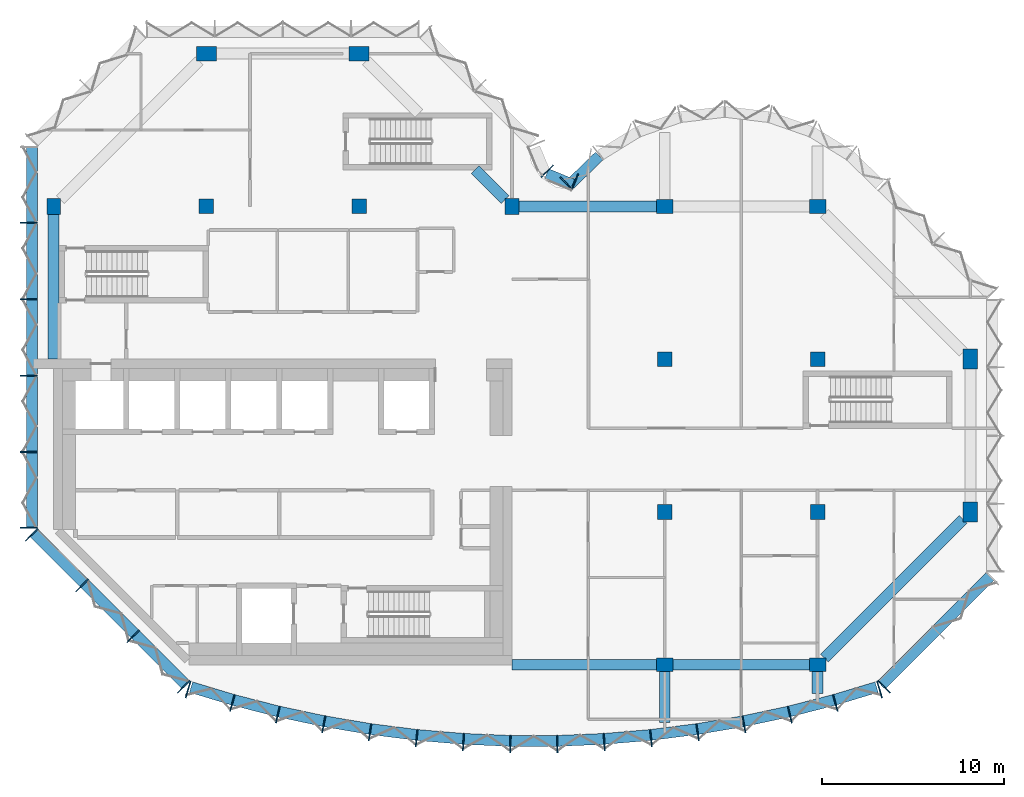
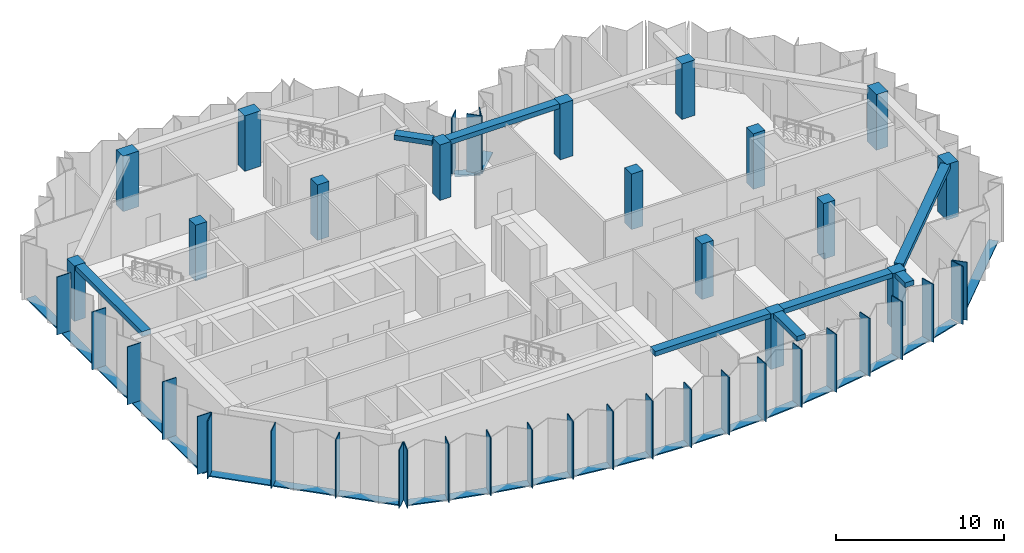
# One storey, part 1 of 10: 49 members, 16 columns, 8 beams, 6 elements without a shape of their own.
"""IFC4 building model written with IfcOpenShell, lengths in metres."""

from ifc_helpers import new_model, si_unit, direction, frame, origin, origin_2d, place, context, subcontext, project, spatial, rectangle, extrude, material, material_profile, profile_set, type_object, element, aggregate, save


model = new_model("IFC4")

# Units and contexts
model_context = context("Model", 3, precision=1e-05, world=origin(), true_north=direction((0.0, 1.0)))
body_context = subcontext(model_context, "Body", "Model", "MODEL_VIEW")
ifc_project = project(units=[si_unit("LENGTHUNIT", "METRE"), si_unit("AREAUNIT", "SQUARE_METRE"), si_unit("VOLUMEUNIT", "CUBIC_METRE"), si_unit("PLANEANGLEUNIT", "RADIAN"), si_unit("MASSUNIT", "GRAM", prefix="KILO")], contexts=[model_context])

# Site, building, storey
site_placement = place(None, origin())
site = spatial("IfcSite", under=ifc_project, at=site_placement, CompositionType="ELEMENT")
building_placement = place(site_placement, origin())
building = spatial("IfcBuilding", under=site, at=building_placement, Name="Brevane Broadcast Tower", CompositionType="ELEMENT")
storey_placement = place(building_placement, frame((0.0, 0.0, 251.699951171875)))
storey = spatial("IfcBuildingStorey", under=building, at=storey_placement, Name="L64", CompositionType="ELEMENT", Elevation=251.699951171875)

# Columns
ifc_material_1 = material(Name="Concrete C50/60", Category="concrete")
ifc_material_profile_1 = material_profile(ifc_material_1, rectangle(XDim=0.75, YDim=0.89990234375, at=origin_2d()), Name="RC 750x900")
ifc_profile_set_1 = profile_set([ifc_material_profile_1], Name="Concrete C50/60")
column_type_1 = type_object("IfcColumnType", Name="RC COLUMN EDGE 750x900 C50/60", PredefinedType="COLUMN", material=ifc_profile_set_1)
for number, where, z_axis, x_axis, name in (
    (1, (0.0, 25.199951171875, 0.0), (0.0, 0.0, 1.0), (1.0, 0.0, 0.0), "CE14 1/D"),
    (2, (25.199951171875, 25.199951171875, 0.0), (0.0, 0.0, 1.0), (1.0, 0.0, 0.0), "CE14 4/D"),
    (3, (33.60009765625, 0.0, 0.0), (0.0, 0.0, 1.0), (0.0, 1.0, 0.0), "CE14 5/A"),
    (4, (33.60009765625, 25.199951171875, 0.0), (0.0, 0.0, 1.0), (0.0, 1.0, 0.0), "CE14 5/D"),
    (5, (42.0, 0.0, 0.0), (0.0, 0.0, 1.0), (0.0, 1.0, 0.0), "CE14 6/A"),
    (6, (42.0, 25.199951171875, 0.0), (0.0, 0.0, 1.0), (0.0, 1.0, 0.0), "CE14 6/D"),
):
    element("IfcColumn", number, at=place(storey_placement, frame(where, z_axis=z_axis, x_axis=x_axis)), inside=storey, type_object=column_type_1, Name=name, PredefinedType="COLUMN", context=body_context, shape_type="SweptSolid", body=[
        extrude(rectangle(XDim=0.75, YDim=0.89990234375, at=origin_2d()), origin(), (0.0, 0.0, 1.0), 4.050048828125),
    ])
ifc_material_profile_2 = material_profile(ifc_material_1, rectangle(XDim=0.800048828125, YDim=0.800048828125, at=origin_2d()), Name="RC 800x800")
ifc_profile_set_2 = profile_set([ifc_material_profile_2], Name="Concrete C50/60")
column_type_2 = type_object("IfcColumnType", Name="RC COLUMN INTERIOR 800x800 C50/60", PredefinedType="COLUMN", material=ifc_profile_set_2)
for number, where, z_axis, x_axis, name in (
    (7, (8.39990234375, 25.199951171875, 0.0), (0.0, 0.0, 1.0), (1.0, 0.0, 0.0), "CI15 2/D"),
    (8, (16.800048828125, 25.199951171875, 0.0), (0.0, 0.0, 1.0), (1.0, 0.0, 0.0), "CI15 3/D"),
    (9, (33.60009765625, 8.39990234375, 0.0), (0.0, 0.0, 1.0), (1.0, 0.0, 0.0), "CI15 5/B"),
    (10, (33.60009765625, 16.800048828125, 0.0), (0.0, 0.0, 1.0), (1.0, 0.0, 0.0), "CI15 5/C"),
    (11, (42.0, 8.39990234375, 0.0), (0.0, 0.0, 1.0), (1.0, 0.0, 0.0), "CI15 6/B"),
    (12, (42.0, 16.800048828125, 0.0), (0.0, 0.0, 1.0), (1.0, 0.0, 0.0), "CI15 6/C"),
):
    element("IfcColumn", number, at=place(storey_placement, frame(where, z_axis=z_axis, x_axis=x_axis)), inside=storey, type_object=column_type_2, Name=name, PredefinedType="COLUMN", context=body_context, shape_type="SweptSolid", body=[
        extrude(rectangle(XDim=0.800048828125, YDim=0.800048828125, at=origin_2d()), origin(), (0.0, 0.0, 1.0), 4.050048828125),
    ])
ifc_material_profile_3 = material_profile(ifc_material_1, rectangle(XDim=0.800048828125, YDim=1.10009765625, at=origin_2d()), Name="RC 800x1100")
ifc_profile_set_3 = profile_set([ifc_material_profile_3], Name="Concrete C50/60")
column_type_3 = type_object("IfcColumnType", Name="RC COLUMN WING-END 800x1100 C50/60", PredefinedType="COLUMN", material=ifc_profile_set_3)
for number, where, z_axis, x_axis, name in (
    (13, (8.39990234375, 33.60009765625, 0.0), (0.0, 0.0, 1.0), (0.0, 1.0, 0.0), "CW16 2/E"),
    (14, (16.800048828125, 33.60009765625, 0.0), (0.0, 0.0, 1.0), (0.0, 1.0, 0.0), "CW16 3/E"),
    (15, (50.39990234375, 8.39990234375, 0.0), (0.0, 0.0, 1.0), (1.0, 0.0, 0.0), "CW16 7/B"),
    (16, (50.39990234375, 16.800048828125, 0.0), (0.0, 0.0, 1.0), (1.0, 0.0, 0.0), "CW16 7/C"),
):
    element("IfcColumn", number, at=place(storey_placement, frame(where, z_axis=z_axis, x_axis=x_axis)), inside=storey, type_object=column_type_3, Name=name, PredefinedType="COLUMN", context=body_context, shape_type="SweptSolid", body=[
        extrude(rectangle(XDim=0.800048828125, YDim=1.10009765625, at=origin_2d()), origin(), (0.0, 0.0, 1.0), 4.050048828125),
    ])

# Curtain wall, members
ifc_material_2 = material(Name="Aluminium 6063-T6 bronze anodised", Category="aluminium")
curtain_wall_type = type_object("IfcCurtainWallType", Name="CW-5 curtain wall", PredefinedType="NOTDEFINED", material=ifc_material_2)
curtain_wall_1_placement = place(storey_placement, origin())
curtain_wall_1 = element("IfcCurtainWall", 17, at=curtain_wall_1_placement, inside=storey, type_object=curtain_wall_type, Name="CW-5 crown glazing unit L64 south bow", PredefinedType="NOTDEFINED")
ifc_material_profile_4 = material_profile(ifc_material_2, rectangle(XDim=0.949951171875, YDim=0.06005859375, at=origin_2d()), Name="RECT 60x950")
ifc_profile_set_4 = profile_set([ifc_material_profile_4], Name="Aluminium 6063-T6 bronze anodised")
member_type_1 = type_object("IfcMemberType", Name="CW-5 mullion 60x950", PredefinedType="MULLION", material=ifc_profile_set_4)
member_1_placement = place(storey_placement, frame((7.391357421875, -1.363525390625, -0.169921875), z_axis=(0.0, 0.0, 1.0), x_axis=(0.288968122518, 0.957338719664, 0.0)))
member_1 = element("IfcMember", 18, at=member_1_placement, type_object=member_type_1, Name="CW-5 mullion", PredefinedType="MULLION", context=body_context, shape_type="SweptSolid", body=[
    extrude(rectangle(XDim=0.949951171875, YDim=0.06005859375, at=origin_2d()), origin(), (0.0, 0.0, 1.0), 4.219970703125),
])
member_2_placement = place(storey_placement, frame((9.824951171875, -2.097900390625, -0.169921875), z_axis=(0.0, 0.0, 1.0), x_axis=(0.268915519935, 0.963163767559, 0.0)))
member_2 = element("IfcMember", 19, at=member_2_placement, type_object=member_type_1, Name="CW-5 mullion", PredefinedType="MULLION", context=body_context, shape_type="SweptSolid", body=[
    extrude(rectangle(XDim=0.949951171875, YDim=0.06005859375, at=origin_2d()), origin(), (0.0, 0.0, 1.0), 4.219970703125),
])
member_3_placement = place(storey_placement, frame((12.325439453125, -2.739990234375, -0.169921875), z_axis=(0.0, 0.0, 1.0), x_axis=(0.228467410001, 0.97355156133, 0.0)))
member_3 = element("IfcMember", 20, at=member_3_placement, type_object=member_type_1, Name="CW-5 mullion", PredefinedType="MULLION", context=body_context, shape_type="SweptSolid", body=[
    extrude(rectangle(XDim=0.949951171875, YDim=0.06005859375, at=origin_2d()), origin(), (0.0, 0.0, 1.0), 4.219970703125),
])
member_4_placement = place(storey_placement, frame((14.8505859375, -3.277099609375, -0.169921875), z_axis=(0.0, 0.0, 1.0), x_axis=(0.187620976959, 0.982241502384, 0.0)))
member_4 = element("IfcMember", 21, at=member_4_placement, type_object=member_type_1, Name="CW-5 mullion", PredefinedType="MULLION", context=body_context, shape_type="SweptSolid", body=[
    extrude(rectangle(XDim=0.949951171875, YDim=0.06005859375, at=origin_2d()), origin(), (0.0, 0.0, 1.0), 4.219970703125),
])
member_5_placement = place(storey_placement, frame((17.395751953125, -3.70849609375, -0.169921875), z_axis=(0.0, 0.0, 1.0), x_axis=(0.146447392256, 0.989218459847, 0.0)))
member_5 = element("IfcMember", 22, at=member_5_placement, type_object=member_type_1, Name="CW-5 mullion", PredefinedType="MULLION", context=body_context, shape_type="SweptSolid", body=[
    extrude(rectangle(XDim=0.949951171875, YDim=0.06005859375, at=origin_2d()), origin(), (0.0, 0.0, 1.0), 4.219970703125),
])
member_6_placement = place(storey_placement, frame((19.95703125, -4.033203125, -0.169921875), z_axis=(0.0, 0.0, 1.0), x_axis=(0.105018395305, 0.994470279419, 0.0)))
member_6 = element("IfcMember", 23, at=member_6_placement, type_object=member_type_1, Name="CW-5 mullion", PredefinedType="MULLION", context=body_context, shape_type="SweptSolid", body=[
    extrude(rectangle(XDim=0.949951171875, YDim=0.06005859375, at=origin_2d()), origin(), (0.0, 0.0, 1.0), 4.219970703125),
])
member_7_placement = place(storey_placement, frame((22.529296875, -4.250732421875, -0.169921875), z_axis=(0.0, 0.0, 1.0), x_axis=(0.063406169479, 0.99798780437, 0.0)))
member_7 = element("IfcMember", 24, at=member_7_placement, type_object=member_type_1, Name="CW-5 mullion", PredefinedType="MULLION", context=body_context, shape_type="SweptSolid", body=[
    extrude(rectangle(XDim=0.949951171875, YDim=0.06005859375, at=origin_2d()), origin(), (0.0, 0.0, 1.0), 4.219970703125),
])
member_8_placement = place(storey_placement, frame((25.10888671875, -4.360595703125, -0.169921875), z_axis=(0.0, 0.0, 1.0), x_axis=(0.021281828243, 0.999773516246, 0.0)))
member_8 = element("IfcMember", 25, at=member_8_placement, type_object=member_type_1, Name="CW-5 mullion", PredefinedType="MULLION", context=body_context, shape_type="SweptSolid", body=[
    extrude(rectangle(XDim=0.949951171875, YDim=0.06005859375, at=origin_2d()), origin(), (0.0, 0.0, 1.0), 4.219970703125),
])
member_9_placement = place(storey_placement, frame((27.691162109375, -4.360595703125, -0.169921875), z_axis=(0.0, 0.0, 1.0), x_axis=(-0.021281828243, 0.999773516246, 0.0)))
member_9 = element("IfcMember", 26, at=member_9_placement, type_object=member_type_1, Name="CW-5 mullion", PredefinedType="MULLION", context=body_context, shape_type="SweptSolid", body=[
    extrude(rectangle(XDim=0.949951171875, YDim=0.06005859375, at=origin_2d()), origin(), (0.0, 0.0, 1.0), 4.219970703125),
])
member_10_placement = place(storey_placement, frame((30.2705078125, -4.250732421875, -0.169921875), z_axis=(0.0, 0.0, 1.0), x_axis=(-0.063406169479, 0.99798780437, 0.0)))
member_10 = element("IfcMember", 27, at=member_10_placement, type_object=member_type_1, Name="CW-5 mullion", PredefinedType="MULLION", context=body_context, shape_type="SweptSolid", body=[
    extrude(rectangle(XDim=0.949951171875, YDim=0.06005859375, at=origin_2d()), origin(), (0.0, 0.0, 1.0), 4.219970703125),
])
member_11_placement = place(storey_placement, frame((32.843017578125, -4.033203125, -0.169921875), z_axis=(0.0, 0.0, 1.0), x_axis=(-0.105018395305, 0.994470279419, 0.0)))
member_11 = element("IfcMember", 28, at=member_11_placement, type_object=member_type_1, Name="CW-5 mullion", PredefinedType="MULLION", context=body_context, shape_type="SweptSolid", body=[
    extrude(rectangle(XDim=0.949951171875, YDim=0.06005859375, at=origin_2d()), origin(), (0.0, 0.0, 1.0), 4.219970703125),
])
member_12_placement = place(storey_placement, frame((35.404296875, -3.70849609375, -0.169921875), z_axis=(0.0, 0.0, 1.0), x_axis=(-0.146447392256, 0.989218459847, 0.0)))
member_12 = element("IfcMember", 29, at=member_12_placement, type_object=member_type_1, Name="CW-5 mullion", PredefinedType="MULLION", context=body_context, shape_type="SweptSolid", body=[
    extrude(rectangle(XDim=0.949951171875, YDim=0.06005859375, at=origin_2d()), origin(), (0.0, 0.0, 1.0), 4.219970703125),
])
member_13_placement = place(storey_placement, frame((37.949462890625, -3.277099609375, -0.169921875), z_axis=(0.0, 0.0, 1.0), x_axis=(-0.187620976959, 0.982241502384, 0.0)))
member_13 = element("IfcMember", 30, at=member_13_placement, type_object=member_type_1, Name="CW-5 mullion", PredefinedType="MULLION", context=body_context, shape_type="SweptSolid", body=[
    extrude(rectangle(XDim=0.949951171875, YDim=0.06005859375, at=origin_2d()), origin(), (0.0, 0.0, 1.0), 4.219970703125),
])
member_14_placement = place(storey_placement, frame((40.474609375, -2.739990234375, -0.169921875), z_axis=(0.0, 0.0, 1.0), x_axis=(-0.228467410001, 0.97355156133, 0.0)))
member_14 = element("IfcMember", 31, at=member_14_placement, type_object=member_type_1, Name="CW-5 mullion", PredefinedType="MULLION", context=body_context, shape_type="SweptSolid", body=[
    extrude(rectangle(XDim=0.949951171875, YDim=0.06005859375, at=origin_2d()), origin(), (0.0, 0.0, 1.0), 4.219970703125),
])
member_15_placement = place(storey_placement, frame((42.97509765625, -2.097900390625, -0.169921875), z_axis=(0.0, 0.0, 1.0), x_axis=(-0.268915519935, 0.963163767559, 0.0)))
member_15 = element("IfcMember", 32, at=member_15_placement, type_object=member_type_1, Name="CW-5 mullion", PredefinedType="MULLION", context=body_context, shape_type="SweptSolid", body=[
    extrude(rectangle(XDim=0.949951171875, YDim=0.06005859375, at=origin_2d()), origin(), (0.0, 0.0, 1.0), 4.219970703125),
])
member_16_placement = place(storey_placement, frame((45.408447265625, -1.363525390625, -0.169921875), z_axis=(0.0, 0.0, 1.0), x_axis=(-0.288968122518, 0.957338719664, 0.0)))
member_16 = element("IfcMember", 33, at=member_16_placement, type_object=member_type_1, Name="CW-5 mullion", PredefinedType="MULLION", context=body_context, shape_type="SweptSolid", body=[
    extrude(rectangle(XDim=0.949951171875, YDim=0.06005859375, at=origin_2d()), origin(), (0.0, 0.0, 1.0), 4.219970703125),
])

# Curtain wall, member
curtain_wall_2_placement = place(storey_placement, origin())
curtain_wall_2 = element("IfcCurtainWall", 34, at=curtain_wall_2_placement, inside=storey, type_object=curtain_wall_type, Name="CW-5 crown glazing unit L64 south-east chamfer", PredefinedType="NOTDEFINED")
member_17_placement = place(storey_placement, frame((45.656982421875, -1.214599609375, -0.169921875), z_axis=(0.0, 0.0, 1.0), x_axis=(-0.707106781187, 0.707106781187, 0.0)))
member_17 = element("IfcMember", 35, at=member_17_placement, type_object=member_type_1, Name="CW-5 mullion", PredefinedType="MULLION", context=body_context, shape_type="SweptSolid", body=[
    extrude(rectangle(XDim=0.949951171875, YDim=0.06005859375, at=origin_2d()), origin(), (0.0, 0.0, 1.0), 4.219970703125),
])

curtain_wall_3_placement = place(storey_placement, origin())
curtain_wall_3 = element("IfcCurtainWall", 36, at=curtain_wall_3_placement, inside=storey, type_object=curtain_wall_type, Name="CW-5 crown glazing unit L64 east bow", PredefinedType="NOTDEFINED")
member_18_placement = place(storey_placement, frame((28.1904296875, 26.461669921875, -0.169921875), z_axis=(0.0, 0.0, 1.0), x_axis=(0.696812089895, -0.717253728729, 0.0)))
member_18 = element("IfcMember", 37, at=member_18_placement, type_object=member_type_1, Name="CW-5 mullion", PredefinedType="MULLION", context=body_context, shape_type="SweptSolid", body=[
    extrude(rectangle(XDim=0.949951171875, YDim=0.06005859375, at=origin_2d()), origin(), (0.0, 0.0, 1.0), 4.219970703125),
])

# Curtain wall, members
curtain_wall_4_placement = place(storey_placement, origin())
curtain_wall_4 = element("IfcCurtainWall", 38, at=curtain_wall_4_placement, inside=storey, type_object=curtain_wall_type, Name="CW-5 crown glazing unit L64 inner corner", PredefinedType="NOTDEFINED")
member_19_placement = place(storey_placement, frame((28.654052734375, 26.55029296875, -0.169921875), z_axis=(0.0, 0.0, 1.0), x_axis=(-0.382683432365, -0.923879532511, 0.0)))
member_19 = element("IfcMember", 39, at=member_19_placement, type_object=member_type_1, Name="CW-5 mullion", PredefinedType="MULLION", context=body_context, shape_type="SweptSolid", body=[
    extrude(rectangle(XDim=0.949951171875, YDim=0.06005859375, at=origin_2d()), origin(), (0.0, 0.0, 1.0), 4.219970703125),
])
member_20_placement = place(storey_placement, frame((27.138916015625, 27.138916015625, -0.169921875), z_axis=(0.0, 0.0, 1.0), x_axis=(-0.707106781187, -0.707106781187, 0.0)))
member_20 = element("IfcMember", 40, at=member_20_placement, type_object=member_type_1, Name="CW-5 mullion", PredefinedType="MULLION", context=body_context, shape_type="SweptSolid", body=[
    extrude(rectangle(XDim=0.949951171875, YDim=0.06005859375, at=origin_2d()), origin(), (0.0, 0.0, 1.0), 4.219970703125),
])

curtain_wall_5_placement = place(storey_placement, origin())
curtain_wall_5 = element("IfcCurtainWall", 41, at=curtain_wall_5_placement, inside=storey, type_object=curtain_wall_type, Name="CW-5 crown glazing unit L64 west face", PredefinedType="NOTDEFINED")
member_21_placement = place(storey_placement, frame((-1.375, 24.300048828125, -0.169921875), z_axis=(0.0, 0.0, 1.0), x_axis=(1.0, 0.0, 0.0)))
member_21 = element("IfcMember", 42, at=member_21_placement, type_object=member_type_1, Name="CW-5 mullion", PredefinedType="MULLION", context=body_context, shape_type="SweptSolid", body=[
    extrude(rectangle(XDim=0.949951171875, YDim=0.06005859375, at=origin_2d()), origin(), (0.0, 0.0, 1.0), 4.219970703125),
])
member_22_placement = place(storey_placement, frame((-1.375, 20.10009765625, -0.169921875), z_axis=(0.0, 0.0, 1.0), x_axis=(1.0, 0.0, 0.0)))
member_22 = element("IfcMember", 43, at=member_22_placement, type_object=member_type_1, Name="CW-5 mullion", PredefinedType="MULLION", context=body_context, shape_type="SweptSolid", body=[
    extrude(rectangle(XDim=0.949951171875, YDim=0.06005859375, at=origin_2d()), origin(), (0.0, 0.0, 1.0), 4.219970703125),
])
member_23_placement = place(storey_placement, frame((-1.375, 15.89990234375, -0.169921875), z_axis=(0.0, 0.0, 1.0), x_axis=(1.0, 0.0, 0.0)))
member_23 = element("IfcMember", 44, at=member_23_placement, type_object=member_type_1, Name="CW-5 mullion", PredefinedType="MULLION", context=body_context, shape_type="SweptSolid", body=[
    extrude(rectangle(XDim=0.949951171875, YDim=0.06005859375, at=origin_2d()), origin(), (0.0, 0.0, 1.0), 4.219970703125),
])
member_24_placement = place(storey_placement, frame((-1.375, 11.699951171875, -0.169921875), z_axis=(0.0, 0.0, 1.0), x_axis=(1.0, 0.0, 0.0)))
member_24 = element("IfcMember", 45, at=member_24_placement, type_object=member_type_1, Name="CW-5 mullion", PredefinedType="MULLION", context=body_context, shape_type="SweptSolid", body=[
    extrude(rectangle(XDim=0.949951171875, YDim=0.06005859375, at=origin_2d()), origin(), (0.0, 0.0, 1.0), 4.219970703125),
])
member_25_placement = place(storey_placement, frame((-1.375, 7.530029296875, -0.169921875), z_axis=(0.0, 0.0, 1.0), x_axis=(1.0, 0.0, 0.0)))
member_25 = element("IfcMember", 46, at=member_25_placement, type_object=member_type_1, Name="CW-5 mullion", PredefinedType="MULLION", context=body_context, shape_type="SweptSolid", body=[
    extrude(rectangle(XDim=0.949951171875, YDim=0.06005859375, at=origin_2d()), origin(), (0.0, 0.0, 1.0), 4.219970703125),
])

curtain_wall_6_placement = place(storey_placement, origin())
curtain_wall_6 = element("IfcCurtainWall", 47, at=curtain_wall_6_placement, inside=storey, type_object=curtain_wall_type, Name="CW-5 crown glazing unit L64 south-west chamfer", PredefinedType="NOTDEFINED")
member_26_placement = place(storey_placement, frame((-1.214599609375, 7.142822265625, -0.169921875), z_axis=(0.0, 0.0, 1.0), x_axis=(0.707106781187, 0.707106781187, 0.0)))
member_26 = element("IfcMember", 48, at=member_26_placement, type_object=member_type_1, Name="CW-5 mullion", PredefinedType="MULLION", context=body_context, shape_type="SweptSolid", body=[
    extrude(rectangle(XDim=0.949951171875, YDim=0.06005859375, at=origin_2d()), origin(), (0.0, 0.0, 1.0), 4.219970703125),
])
member_27_placement = place(storey_placement, frame((1.564208984375, 4.364013671875, -0.169921875), z_axis=(0.0, 0.0, 1.0), x_axis=(0.707106781187, 0.707106781187, 0.0)))
member_27 = element("IfcMember", 49, at=member_27_placement, type_object=member_type_1, Name="CW-5 mullion", PredefinedType="MULLION", context=body_context, shape_type="SweptSolid", body=[
    extrude(rectangle(XDim=0.949951171875, YDim=0.06005859375, at=origin_2d()), origin(), (0.0, 0.0, 1.0), 4.219970703125),
])
member_28_placement = place(storey_placement, frame((4.364013671875, 1.564208984375, -0.169921875), z_axis=(0.0, 0.0, 1.0), x_axis=(0.707106781187, 0.707106781187, 0.0)))
member_28 = element("IfcMember", 50, at=member_28_placement, type_object=member_type_1, Name="CW-5 mullion", PredefinedType="MULLION", context=body_context, shape_type="SweptSolid", body=[
    extrude(rectangle(XDim=0.949951171875, YDim=0.06005859375, at=origin_2d()), origin(), (0.0, 0.0, 1.0), 4.219970703125),
])
member_29_placement = place(storey_placement, frame((7.142822265625, -1.214599609375, -0.169921875), z_axis=(0.0, 0.0, 1.0), x_axis=(0.707106781187, 0.707106781187, 0.0)))
member_29 = element("IfcMember", 51, at=member_29_placement, type_object=member_type_1, Name="CW-5 mullion", PredefinedType="MULLION", context=body_context, shape_type="SweptSolid", body=[
    extrude(rectangle(XDim=0.949951171875, YDim=0.06005859375, at=origin_2d()), origin(), (0.0, 0.0, 1.0), 4.219970703125),
])

# Member
ifc_material_profile_5 = material_profile(ifc_material_2, rectangle(XDim=0.60009765625, YDim=0.080078125, at=origin_2d()), Name="RECT 80x600")
ifc_profile_set_5 = profile_set([ifc_material_profile_5], Name="Aluminium 6063-T6 bronze anodised")
member_type_2 = type_object("IfcMemberType", Name="CW-5 transom 80x600", PredefinedType="USERDEFINED", material=ifc_profile_set_5)
member_30_placement = place(storey_placement, frame((7.553955078125, -1.229736328125, -0.2099609375), z_axis=(0.957362578524, -0.288889067362, 0.0), x_axis=(0.288889067362, 0.957362578524, 0.0)))
member_30 = element("IfcMember", 52, at=member_30_placement, type_object=member_type_2, Name="CW-5 transom", ObjectType="TRANSOM", PredefinedType="USERDEFINED", context=body_context, shape_type="SweptSolid", body=[
    extrude(rectangle(XDim=0.60009765625, YDim=0.080078125, at=origin_2d()), origin(), (0.0, 0.0, 1.0), 2.411865234375),
])

member_31_placement = place(storey_placement, frame((9.8759765625, -1.930419921875, -0.2099609375), z_axis=(0.968569727699, -0.248742201052, 0.0), x_axis=(0.248742201052, 0.968569727699, 0.0)))
member_31 = element("IfcMember", 53, at=member_31_placement, type_object=member_type_2, Name="CW-5 transom", ObjectType="TRANSOM", PredefinedType="USERDEFINED", context=body_context, shape_type="SweptSolid", body=[
    extrude(rectangle(XDim=0.60009765625, YDim=0.080078125, at=origin_2d()), origin(), (0.0, 0.0, 1.0), 2.561767578125),
])

member_32_placement = place(storey_placement, frame((12.370361328125, -2.57080078125, -0.2099609375), z_axis=(0.978117897278, -0.208051385536, 0.0), x_axis=(0.208051385536, 0.978117897278, 0.0)))
member_32 = element("IfcMember", 54, at=member_32_placement, type_object=member_type_2, Name="CW-5 transom", ObjectType="TRANSOM", PredefinedType="USERDEFINED", context=body_context, shape_type="SweptSolid", body=[
    extrude(rectangle(XDim=0.60009765625, YDim=0.080078125, at=origin_2d()), origin(), (0.0, 0.0, 1.0), 2.561767578125),
])

member_33_placement = place(storey_placement, frame((14.88916015625, -3.1064453125, -0.2099609375), z_axis=(0.985947338221, -0.167056416383, 0.0), x_axis=(0.167056416383, 0.985947338221, 0.0)))
member_33 = element("IfcMember", 55, at=member_33_placement, type_object=member_type_2, Name="CW-5 transom", ObjectType="TRANSOM", PredefinedType="USERDEFINED", context=body_context, shape_type="SweptSolid", body=[
    extrude(rectangle(XDim=0.60009765625, YDim=0.080078125, at=origin_2d()), origin(), (0.0, 0.0, 1.0), 2.561767578125),
])

member_34_placement = place(storey_placement, frame((17.428466796875, -3.536376953125, -0.2099609375), z_axis=(0.99206678005, -0.12571198798, 0.0), x_axis=(0.12571198798, 0.99206678005, 0.0)))
member_34 = element("IfcMember", 56, at=member_34_placement, type_object=member_type_2, Name="CW-5 transom", ObjectType="TRANSOM", PredefinedType="USERDEFINED", context=body_context, shape_type="SweptSolid", body=[
    extrude(rectangle(XDim=0.60009765625, YDim=0.080078125, at=origin_2d()), origin(), (0.0, 0.0, 1.0), 2.5615234375),
])

member_35_placement = place(storey_placement, frame((19.983154296875, -3.85986328125, -0.2099609375), z_axis=(0.99644513768, -0.084244214012, 0.0), x_axis=(0.084244214012, 0.99644513768, 0.0)))
member_35 = element("IfcMember", 57, at=member_35_placement, type_object=member_type_2, Name="CW-5 transom", ObjectType="TRANSOM", PredefinedType="USERDEFINED", context=body_context, shape_type="SweptSolid", body=[
    extrude(rectangle(XDim=0.60009765625, YDim=0.080078125, at=origin_2d()), origin(), (0.0, 0.0, 1.0), 2.561767578125),
])

member_36_placement = place(storey_placement, frame((22.54931640625, -4.076416015625, -0.2099609375), z_axis=(0.999092306129, -0.042597697524, 0.0), x_axis=(0.042597697524, 0.999092306129, 0.0)))
member_36 = element("IfcMember", 58, at=member_36_placement, type_object=member_type_2, Name="CW-5 transom", ObjectType="TRANSOM", PredefinedType="USERDEFINED", context=body_context, shape_type="SweptSolid", body=[
    extrude(rectangle(XDim=0.60009765625, YDim=0.080078125, at=origin_2d()), origin(), (0.0, 0.0, 1.0), 2.56201171875),
])

member_37_placement = place(storey_placement, frame((25.122314453125, -4.185546875, -0.2099609375), z_axis=(1.0, 0.0, 0.0), x_axis=(0.0, 1.0, 0.0)))
member_37 = element("IfcMember", 59, at=member_37_placement, type_object=member_type_2, Name="CW-5 transom", ObjectType="TRANSOM", PredefinedType="USERDEFINED", context=body_context, shape_type="SweptSolid", body=[
    extrude(rectangle(XDim=0.60009765625, YDim=0.080078125, at=origin_2d()), origin(), (0.0, 0.0, 1.0), 2.56201171875),
])

member_38_placement = place(storey_placement, frame((27.691162109375, -4.185546875, -0.2099609375), z_axis=(0.999092133182, 0.042601753652, 0.0), x_axis=(-0.042601753652, 0.999092133182, 0.0)))
member_38 = element("IfcMember", 60, at=member_38_placement, type_object=member_type_2, Name="CW-5 transom", ObjectType="TRANSOM", PredefinedType="USERDEFINED", context=body_context, shape_type="SweptSolid", body=[
    extrude(rectangle(XDim=0.60009765625, YDim=0.080078125, at=origin_2d()), origin(), (0.0, 0.0, 1.0), 2.561767578125),
])

member_39_placement = place(storey_placement, frame((30.26416015625, -4.07568359375, -0.2099609375), z_axis=(0.99644513768, 0.084244214012, 0.0), x_axis=(-0.084244214012, 0.99644513768, 0.0)))
member_39 = element("IfcMember", 61, at=member_39_placement, type_object=member_type_2, Name="CW-5 transom", ObjectType="TRANSOM", PredefinedType="USERDEFINED", context=body_context, shape_type="SweptSolid", body=[
    extrude(rectangle(XDim=0.60009765625, YDim=0.080078125, at=origin_2d()), origin(), (0.0, 0.0, 1.0), 2.561767578125),
])

member_40_placement = place(storey_placement, frame((32.830322265625, -3.8583984375, -0.2099609375), z_axis=(0.99206678005, 0.12571198798, 0.0), x_axis=(-0.12571198798, 0.99206678005, 0.0)))
member_40 = element("IfcMember", 62, at=member_40_placement, type_object=member_type_2, Name="CW-5 transom", ObjectType="TRANSOM", PredefinedType="USERDEFINED", context=body_context, shape_type="SweptSolid", body=[
    extrude(rectangle(XDim=0.60009765625, YDim=0.080078125, at=origin_2d()), origin(), (0.0, 0.0, 1.0), 2.5615234375),
])

member_41_placement = place(storey_placement, frame((35.385009765625, -3.534423828125, -0.2099609375), z_axis=(0.9859446783, 0.167072114167, 0.0), x_axis=(-0.167072114167, 0.9859446783, 0.0)))
member_41 = element("IfcMember", 63, at=member_41_placement, type_object=member_type_2, Name="CW-5 transom", ObjectType="TRANSOM", PredefinedType="USERDEFINED", context=body_context, shape_type="SweptSolid", body=[
    extrude(rectangle(XDim=0.60009765625, YDim=0.080078125, at=origin_2d()), origin(), (0.0, 0.0, 1.0), 2.5615234375),
])

member_42_placement = place(storey_placement, frame((37.924072265625, -3.103759765625, -0.2099609375), z_axis=(0.978117897278, 0.208051385536, 0.0), x_axis=(-0.208051385536, 0.978117897278, 0.0)))
member_42 = element("IfcMember", 64, at=member_42_placement, type_object=member_type_2, Name="CW-5 transom", ObjectType="TRANSOM", PredefinedType="USERDEFINED", context=body_context, shape_type="SweptSolid", body=[
    extrude(rectangle(XDim=0.60009765625, YDim=0.080078125, at=origin_2d()), origin(), (0.0, 0.0, 1.0), 2.561767578125),
])

member_43_placement = place(storey_placement, frame((40.44287109375, -2.567626953125, -0.2099609375), z_axis=(0.968569727699, 0.248742201052, 0.0), x_axis=(-0.248742201052, 0.968569727699, 0.0)))
member_43 = element("IfcMember", 65, at=member_43_placement, type_object=member_type_2, Name="CW-5 transom", ObjectType="TRANSOM", PredefinedType="USERDEFINED", context=body_context, shape_type="SweptSolid", body=[
    extrude(rectangle(XDim=0.60009765625, YDim=0.080078125, at=origin_2d()), origin(), (0.0, 0.0, 1.0), 2.561767578125),
])

member_44_placement = place(storey_placement, frame((42.93701171875, -1.926513671875, -0.2099609375), z_axis=(0.957362578524, 0.288889067362, 0.0), x_axis=(-0.288889067362, 0.957362578524, 0.0)))
member_44 = element("IfcMember", 66, at=member_44_placement, type_object=member_type_2, Name="CW-5 transom", ObjectType="TRANSOM", PredefinedType="USERDEFINED", context=body_context, shape_type="SweptSolid", body=[
    extrude(rectangle(XDim=0.60009765625, YDim=0.080078125, at=origin_2d()), origin(), (0.0, 0.0, 1.0), 2.411865234375),
])

aggregate(curtain_wall_1, [member_1, member_2, member_3, member_4, member_5, member_6, member_7, member_8, member_9, member_10, member_11, member_12, member_13, member_14, member_15, member_16, member_30, member_31, member_32, member_33, member_34, member_35, member_36, member_37, member_38, member_39, member_40, member_41, member_42, member_43, member_44])

member_45_placement = place(storey_placement, frame((45.51220703125, -1.112060546875, -0.2099609375), z_axis=(0.707106781187, 0.707106781187, 0.0), x_axis=(-0.707106781187, 0.707106781187, 0.0)))
member_45 = element("IfcMember", 67, at=member_45_placement, type_object=member_type_2, Name="CW-5 transom", ObjectType="TRANSOM", PredefinedType="USERDEFINED", context=body_context, shape_type="SweptSolid", body=[
    extrude(rectangle(XDim=0.60009765625, YDim=0.080078125, at=origin_2d()), origin(), (0.0, 0.0, 1.0), 8.4853515625),
])

aggregate(curtain_wall_2, [member_17, member_45])

member_46_placement = place(storey_placement, frame((29.99951171875, 27.974365234375, -0.2099609375), z_axis=(-0.71724215871, -0.696823999134, 0.0), x_axis=(0.696823999134, -0.71724215871, 0.0)))
member_46 = element("IfcMember", 68, at=member_46_placement, type_object=member_type_2, Name="CW-5 transom", ObjectType="TRANSOM", PredefinedType="USERDEFINED", context=body_context, shape_type="SweptSolid", body=[
    extrude(rectangle(XDim=0.60009765625, YDim=0.080078125, at=origin_2d()), origin(), (0.0, 0.0, 1.0), 2.247802734375),
])

aggregate(curtain_wall_3, [member_18, member_46])

member_47_placement = place(storey_placement, frame((28.528076171875, 26.40673828125, -0.2099609375), z_axis=(-0.923883243627, 0.382674472816, 0.0), x_axis=(-0.382674472816, -0.923883243627, 0.0)))
member_47 = element("IfcMember", 69, at=member_47_placement, type_object=member_type_2, Name="CW-5 transom", ObjectType="TRANSOM", PredefinedType="USERDEFINED", context=body_context, shape_type="SweptSolid", body=[
    extrude(rectangle(XDim=0.60009765625, YDim=0.080078125, at=origin_2d()), origin(), (0.0, 0.0, 1.0), 1.536865234375),
])

aggregate(curtain_wall_4, [member_19, member_20, member_47])

member_48_placement = place(storey_placement, frame((-1.199951171875, 28.5, -0.2099609375), z_axis=(0.0, -1.0, 0.0), x_axis=(1.0, 0.0, 0.0)))
member_48 = element("IfcMember", 70, at=member_48_placement, type_object=member_type_2, Name="CW-5 transom", ObjectType="TRANSOM", PredefinedType="USERDEFINED", context=body_context, shape_type="SweptSolid", body=[
    extrude(rectangle(XDim=0.60009765625, YDim=0.080078125, at=origin_2d()), origin(), (0.0, 0.0, 1.0), 21.0),
])

aggregate(curtain_wall_5, [member_21, member_22, member_23, member_24, member_25, member_48])

member_49_placement = place(storey_placement, frame((-1.112060546875, 7.287841796875, -0.2099609375), z_axis=(0.707106781187, -0.707106781187, 0.0), x_axis=(0.707106781187, 0.707106781187, 0.0)))
member_49 = element("IfcMember", 71, at=member_49_placement, type_object=member_type_2, Name="CW-5 transom", ObjectType="TRANSOM", PredefinedType="USERDEFINED", context=body_context, shape_type="SweptSolid", body=[
    extrude(rectangle(XDim=0.60009765625, YDim=0.080078125, at=origin_2d()), origin(), (0.0, 0.0, 1.0), 11.879150390625),
])

aggregate(curtain_wall_6, [member_26, member_27, member_28, member_29, member_49])

# Beams
ifc_material_3 = material(Name="Concrete C40/50", Category="concrete")
ifc_material_profile_6 = material_profile(ifc_material_3, rectangle(XDim=0.60009765625, YDim=0.35009765625, at=origin_2d()), Name="RC 600x350")
ifc_profile_set_6 = profile_set([ifc_material_profile_6], Name="Concrete C40/50")
beam_type_1 = type_object("IfcBeamType", Name="RC BRACKET BEAM 600x350 C40/50", PredefinedType="BEAM", material=ifc_profile_set_6)
beam_1_placement = place(storey_placement, frame((33.60009765625, -0.375, 3.875), z_axis=(0.0, -1.0, 0.0), x_axis=(1.0, 0.0, 0.0)))
element("IfcBeam", 72, at=beam_1_placement, inside=storey, type_object=beam_type_1, Name="EB2 L64-1", PredefinedType="BEAM", context=body_context, shape_type="SweptSolid", body=[
    extrude(rectangle(XDim=0.60009765625, YDim=0.35009765625, at=origin_2d()), origin(), (0.0, 0.0, 1.0), 2.7958984375),
])
beam_2_placement = place(storey_placement, frame((42.0, -0.375, 3.875), z_axis=(0.0, -1.0, 0.0), x_axis=(1.0, 0.0, 0.0)))
element("IfcBeam", 73, at=beam_2_placement, inside=storey, type_object=beam_type_1, Name="EB2 L64-3", PredefinedType="BEAM", context=body_context, shape_type="SweptSolid", body=[
    extrude(rectangle(XDim=0.60009765625, YDim=0.35009765625, at=origin_2d()), origin(), (0.0, 0.0, 1.0), 1.19384765625),
])
ifc_material_profile_7 = material_profile(ifc_material_3, rectangle(XDim=0.60009765625, YDim=0.35009765625, at=origin_2d()), Name="RC 600x350")
ifc_profile_set_7 = profile_set([ifc_material_profile_7], Name="Concrete C40/50")
beam_type_2 = type_object("IfcBeamType", Name="RC SPANDREL BEAM 600x350 C40/50", PredefinedType="SPANDREL", material=ifc_profile_set_7)
beam_3_placement = place(storey_placement, frame((25.199951171875, 0.0, 3.875), z_axis=(1.0, 0.0, 0.0), x_axis=(0.0, 1.0, 0.0)))
element("IfcBeam", 74, at=beam_3_placement, inside=storey, type_object=beam_type_2, Name="EB1 L64-1", PredefinedType="SPANDREL", context=body_context, shape_type="SweptSolid", body=[
    extrude(rectangle(XDim=0.60009765625, YDim=0.35009765625, at=origin_2d()), origin(), (0.0, 0.0, 1.0), 7.949951171875),
])
beam_4_placement = place(storey_placement, frame((34.050048828125, 0.0, 3.875), z_axis=(1.0, 0.0, 0.0), x_axis=(0.0, 1.0, 0.0)))
element("IfcBeam", 75, at=beam_4_placement, inside=storey, type_object=beam_type_2, Name="EB1 L64-2", PredefinedType="SPANDREL", context=body_context, shape_type="SweptSolid", body=[
    extrude(rectangle(XDim=0.60009765625, YDim=0.35009765625, at=origin_2d()), origin(), (0.0, 0.0, 1.0), 7.5),
])
beam_5_placement = place(storey_placement, frame((42.375, 0.375, 3.875), z_axis=(0.707106781187, 0.707106781187, 0.0), x_axis=(-0.707106781187, 0.707106781187, 0.0)))
element("IfcBeam", 76, at=beam_5_placement, inside=storey, type_object=beam_type_2, Name="EB1 L64-3", PredefinedType="SPANDREL", context=body_context, shape_type="SweptSolid", body=[
    extrude(rectangle(XDim=0.60009765625, YDim=0.35009765625, at=origin_2d()), origin(), (0.0, 0.0, 1.0), 10.783447265625),
])
beam_6_placement = place(storey_placement, frame((33.14990234375, 25.199951171875, 3.875), z_axis=(-1.0, 0.0, 0.0), x_axis=(0.0, -1.0, 0.0)))
element("IfcBeam", 77, at=beam_6_placement, inside=storey, type_object=beam_type_2, Name="EB1 L64-7", PredefinedType="SPANDREL", context=body_context, shape_type="SweptSolid", body=[
    extrude(rectangle(XDim=0.60009765625, YDim=0.35009765625, at=origin_2d()), origin(), (0.0, 0.0, 1.0), 7.574951171875),
])
beam_7_placement = place(storey_placement, frame((24.824951171875, 25.574951171875, 3.875), z_axis=(-0.707106781187, 0.707106781187, 0.0), x_axis=(-0.707106781187, -0.707106781187, 0.0)))
element("IfcBeam", 78, at=beam_7_placement, inside=storey, type_object=beam_type_2, Name="EB1 L64-8", PredefinedType="SPANDREL", context=body_context, shape_type="SweptSolid", body=[
    extrude(rectangle(XDim=0.60009765625, YDim=0.35009765625, at=origin_2d()), origin(), (0.0, 0.0, 1.0), 2.340576171875),
])
beam_8_placement = place(storey_placement, frame((0.0, 24.75, 3.875), z_axis=(0.0, -1.0, 0.0), x_axis=(1.0, 0.0, 0.0)))
element("IfcBeam", 79, at=beam_8_placement, inside=storey, type_object=beam_type_2, Name="EB1 L64-11", PredefinedType="SPANDREL", context=body_context, shape_type="SweptSolid", body=[
    extrude(rectangle(XDim=0.60009765625, YDim=0.35009765625, at=origin_2d()), origin(), (0.0, 0.0, 1.0), 7.949951171875),
])

save(model, "model.ifc")
